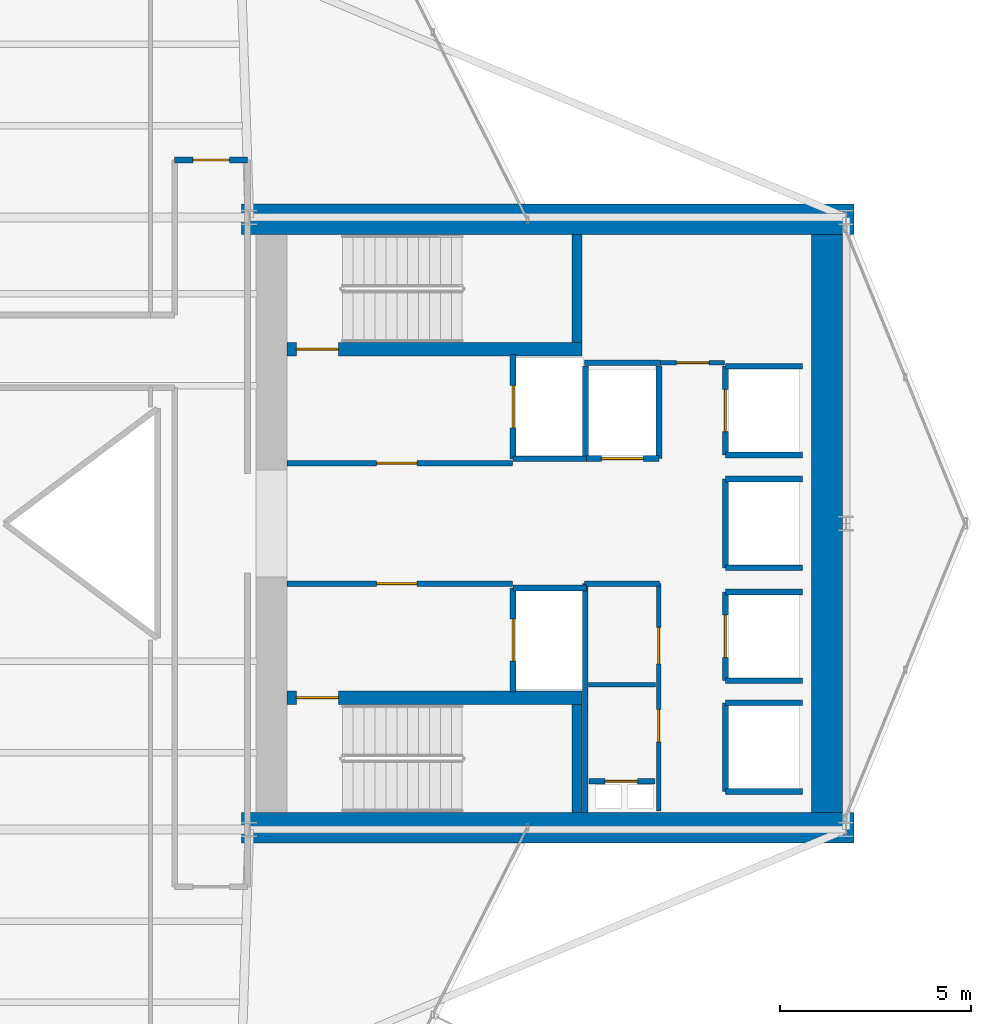
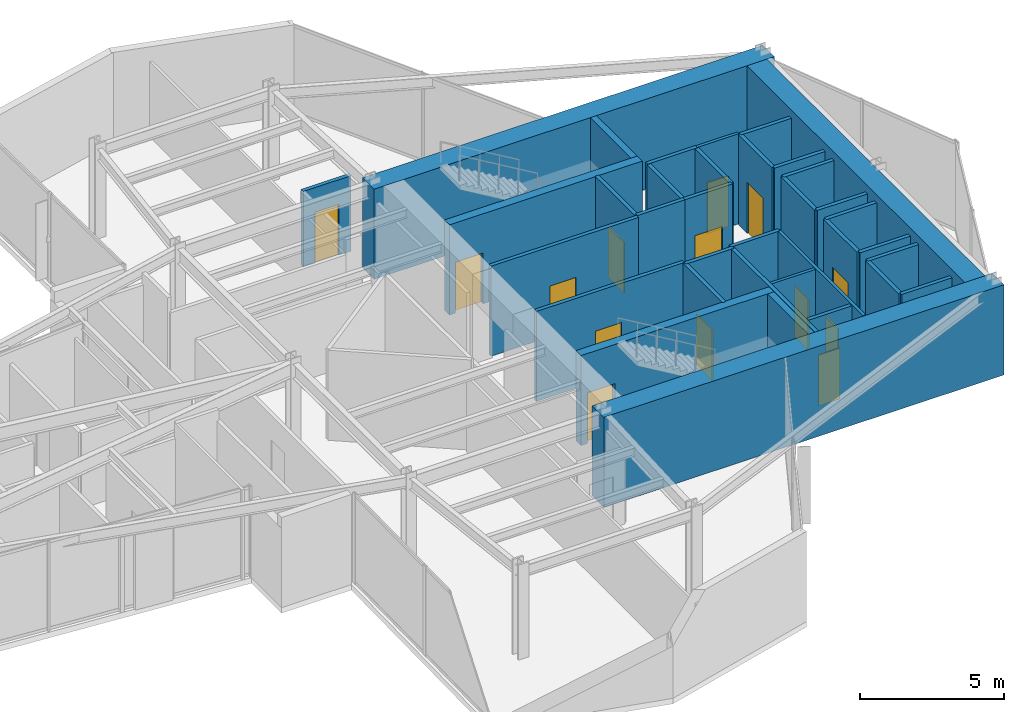
# One storey, part 23 of 25: 36 walls, 14 doors, 14 openings.
"""IFC4 building model written with IfcOpenShell, lengths in metres."""

from ifc_helpers import new_model, si_unit, direction, frame, frame_2d, origin, place, context, subcontext, project, spatial, rectangle, extrude, material, layer, layer_set, type_object, element, fill, save


model = new_model("IFC4")

# Units and contexts
model_context = context("Model", 3, precision=1e-05, world=origin(), true_north=direction((0.0, 1.0)))
body_context = subcontext(model_context, "Body", "Model", "MODEL_VIEW")
ifc_project = project(units=[si_unit("LENGTHUNIT", "METRE"), si_unit("AREAUNIT", "SQUARE_METRE"), si_unit("VOLUMEUNIT", "CUBIC_METRE"), si_unit("PLANEANGLEUNIT", "RADIAN"), si_unit("MASSUNIT", "GRAM", prefix="KILO")], contexts=[model_context])

# Site, building, storey
site_placement = place(None, origin())
site = spatial("IfcSite", under=ifc_project, at=site_placement, CompositionType="ELEMENT")
building_placement = place(site_placement, origin())
building = spatial("IfcBuilding", under=site, at=building_placement, Name="Veymaron Broadcast Tower", CompositionType="ELEMENT")
storey_placement = place(building_placement, frame((0.0, 0.0, 129.0)))
storey = spatial("IfcBuildingStorey", under=building, at=storey_placement, Name="L29", CompositionType="ELEMENT", Elevation=129.0)

# Wall, opening, door
ifc_material_1 = material(Name="Gypsum fireboard and steel stud framing", Category="steel")
ifc_layer_1 = layer(ifc_material_1, 0.14990234375)
ifc_layer_set_1 = layer_set([ifc_layer_1], Name="Gypsum fireboard and steel stud framing")
wall_type_1 = type_object("IfcWallType", Name="WALL-FIRE-150", PredefinedType="PARTITIONING", material=ifc_layer_set_1)
wall_1_placement = place(storey_placement, frame((39.97998046875, 25.574951171875, 0.0), z_axis=(0.0, 0.0, 1.0), x_axis=(1.0, 0.0, 0.0)))
wall_1 = element("IfcWall", 1, at=wall_1_placement, inside=storey, type_object=wall_type_1, Name="L29 partition IW-L29-FFLN-S", PredefinedType="PARTITIONING", context=body_context, shape_type="SweptSolid", body=[
    extrude(rectangle(XDim=5.89990234375, YDim=0.14990234375, at=frame_2d((2.949951171875, 0.0))), origin(), (0.0, 0.0, 1.0), 3.81005859375),
])
opening_1_placement = place(wall_1_placement, frame((2.35009765625, 0.0, 0.0)))
opening_1 = element("IfcOpeningElement", 2, at=opening_1_placement, cuts=wall_1, Name="Opening ID-FL1", PredefinedType="OPENING", context=body_context, shape_type="SweptSolid", body=[
    extrude(rectangle(XDim=1.050048828125, YDim=2.14990234375, at=frame_2d((0.52490234375, 1.074951171875))), frame((0.0, 0.0849609375, 0.0), z_axis=(0.0, -1.0, 0.0), x_axis=(1.0, 0.0, 0.0)), (0.0, 0.0, 1.0), 0.169921875),
])
ifc_material_2 = material(Name="Fire-rated painted hollow steel ASTM A653", Category="steel")
door_type_1 = type_object("IfcDoorType", Name="DOOR-FIRE-1050", OperationType="NOTDEFINED", PredefinedType="DOOR", material=ifc_material_2)
door_1_placement = place(opening_1_placement, origin())
door_1 = element("IfcDoor", 3, at=door_1_placement, inside=storey, type_object=door_type_1, Name="L29 door DR-L29-FFLN", OperationType="SINGLE_SWING_LEFT", OverallHeight=2.14990234375, OverallWidth=1.050048828125, PredefinedType="DOOR", context=body_context, shape_type="SweptSolid", body=[
    extrude(rectangle(XDim=1.050048828125, YDim=2.14990234375, at=frame_2d((0.52490234375, 1.074951171875))), frame((0.0, 0.02490234375, 0.0), z_axis=(0.0, -1.0, 0.0), x_axis=(1.0, 0.0, 0.0)), (0.0, 0.0, 1.0), 0.050048828125),
])
fill(opening_1, door_1)

wall_2_placement = place(storey_placement, frame((39.97998046875, 22.425048828125, 0.0), z_axis=(0.0, 0.0, 1.0), x_axis=(1.0, 0.0, 0.0)))
wall_2 = element("IfcWall", 4, at=wall_2_placement, inside=storey, type_object=wall_type_1, Name="L29 partition IW-L29-FFLS-N", PredefinedType="PARTITIONING", context=body_context, shape_type="SweptSolid", body=[
    extrude(rectangle(XDim=5.89990234375, YDim=0.14990234375, at=frame_2d((2.949951171875, 0.0))), origin(), (0.0, 0.0, 1.0), 3.81005859375),
])
opening_2_placement = place(wall_2_placement, frame((2.35009765625, 0.0, 0.0)))
opening_2 = element("IfcOpeningElement", 5, at=opening_2_placement, cuts=wall_2, Name="Opening ID-FL1", PredefinedType="OPENING", context=body_context, shape_type="SweptSolid", body=[
    extrude(rectangle(XDim=1.050048828125, YDim=2.14990234375, at=frame_2d((0.52490234375, 1.074951171875))), frame((0.0, 0.0849609375, 0.0), z_axis=(0.0, -1.0, 0.0), x_axis=(1.0, 0.0, 0.0)), (0.0, 0.0, 1.0), 0.169921875),
])
door_2_placement = place(opening_2_placement, frame((1.050048828125, 0.0, 0.0), z_axis=(0.0, 0.0, 1.0), x_axis=(-1.0, 0.0, 0.0)))
door_2 = element("IfcDoor", 6, at=door_2_placement, inside=storey, type_object=door_type_1, Name="L29 door DR-L29-FFLS", OperationType="SINGLE_SWING_RIGHT", OverallHeight=2.14990234375, OverallWidth=1.050048828125, PredefinedType="DOOR", context=body_context, shape_type="SweptSolid", body=[
    extrude(rectangle(XDim=1.050048828125, YDim=2.14990234375, at=frame_2d((0.52490234375, 1.074951171875))), frame((0.0, 0.02490234375, 0.0), z_axis=(0.0, -1.0, 0.0), x_axis=(1.0, 0.0, 0.0)), (0.0, 0.0, 1.0), 0.050048828125),
])
fill(opening_2, door_2)

wall_3_placement = place(storey_placement, frame((45.89501953125, 25.68994140625, 0.0), z_axis=(0.0, 0.0, 1.0), x_axis=(0.0, 1.0, 0.0)))
wall_3 = element("IfcWall", 7, at=wall_3_placement, inside=storey, type_object=wall_type_1, Name="L29 partition IW-L29-SHW-FFL-1", PredefinedType="PARTITIONING", context=body_context, shape_type="SweptSolid", body=[
    extrude(rectangle(XDim=2.719970703125, YDim=0.14990234375, at=frame_2d((1.35986328125, 0.0))), origin(), (0.0, 0.0, 1.0), 3.81005859375),
])
opening_3_placement = place(wall_3_placement, frame((0.81005859375, 0.0, 0.0)))
opening_3 = element("IfcOpeningElement", 8, at=opening_3_placement, cuts=wall_3, Name="Opening LD", PredefinedType="OPENING", context=body_context, shape_type="SweptSolid", body=[
    extrude(rectangle(XDim=1.10009765625, YDim=2.14990234375, at=frame_2d((0.550048828125, 1.074951171875))), frame((0.0, 0.0849609375, 0.0), z_axis=(0.0, -1.0, 0.0), x_axis=(1.0, 0.0, 0.0)), (0.0, 0.0, 1.0), 0.169921875),
])
ifc_material_3 = material(Name="Brushed stainless steel AISI 304", Category="steel")
door_type_2 = type_object("IfcDoorType", Name="DOOR-LIFT-1100", OperationType="DOUBLE_DOOR_SLIDING", PredefinedType="DOOR", material=ifc_material_3)
door_3_placement = place(opening_3_placement, frame((1.10009765625, 0.0, 0.0), z_axis=(0.0, 0.0, 1.0), x_axis=(-1.0, 0.0, 0.0)))
door_3 = element("IfcDoor", 9, at=door_3_placement, inside=storey, type_object=door_type_2, Name="L29 door LD-L29-FFL-1", OperationType="DOUBLE_DOOR_SLIDING", OverallHeight=2.14990234375, OverallWidth=1.10009765625, PredefinedType="DOOR", context=body_context, shape_type="SweptSolid", body=[
    extrude(rectangle(XDim=1.10009765625, YDim=2.14990234375, at=frame_2d((0.550048828125, 1.074951171875))), frame((0.0, 0.02490234375, 0.0), z_axis=(0.0, -1.0, 0.0), x_axis=(1.0, 0.0, 0.0)), (0.0, 0.0, 1.0), 0.050048828125),
])
fill(opening_3, door_3)

# Wall
wall_4_placement = place(storey_placement, frame((45.89501953125, 25.68994140625, 0.0), z_axis=(0.0, 0.0, 1.0), x_axis=(1.0, 0.0, 0.0)))
element("IfcWall", 10, at=wall_4_placement, inside=storey, type_object=wall_type_1, Name="L29 partition IW-L29-SHS-FFL-1", PredefinedType="PARTITIONING", context=body_context, shape_type="SweptSolid", body=[
    extrude(rectangle(XDim=1.9150390625, YDim=0.14990234375, at=frame_2d((0.95751953125, 0.0))), origin(), (0.0, 0.0, 1.0), 3.81005859375),
])

# Wall, opening, door
wall_5_placement = place(storey_placement, frame((45.89501953125, 19.590087890625, 0.0), z_axis=(0.0, 0.0, 1.0), x_axis=(0.0, 1.0, 0.0)))
wall_5 = element("IfcWall", 11, at=wall_5_placement, inside=storey, type_object=wall_type_1, Name="L29 partition IW-L29-SHW-FFL-2", PredefinedType="PARTITIONING", context=body_context, shape_type="SweptSolid", body=[
    extrude(rectangle(XDim=2.719970703125, YDim=0.14990234375, at=frame_2d((1.35986328125, 0.0))), origin(), (0.0, 0.0, 1.0), 3.81005859375),
])
opening_4_placement = place(wall_5_placement, frame((0.81005859375, 0.0, 0.0)))
opening_4 = element("IfcOpeningElement", 12, at=opening_4_placement, cuts=wall_5, Name="Opening LD", PredefinedType="OPENING", context=body_context, shape_type="SweptSolid", body=[
    extrude(rectangle(XDim=1.10009765625, YDim=2.14990234375, at=frame_2d((0.550048828125, 1.074951171875))), frame((0.0, 0.0849609375, 0.0), z_axis=(0.0, -1.0, 0.0), x_axis=(1.0, 0.0, 0.0)), (0.0, 0.0, 1.0), 0.169921875),
])
door_4_placement = place(opening_4_placement, frame((1.10009765625, 0.0, 0.0), z_axis=(0.0, 0.0, 1.0), x_axis=(-1.0, 0.0, 0.0)))
door_4 = element("IfcDoor", 13, at=door_4_placement, inside=storey, type_object=door_type_2, Name="L29 door LD-L29-FFL-2", OperationType="DOUBLE_DOOR_SLIDING", OverallHeight=2.14990234375, OverallWidth=1.10009765625, PredefinedType="DOOR", context=body_context, shape_type="SweptSolid", body=[
    extrude(rectangle(XDim=1.10009765625, YDim=2.14990234375, at=frame_2d((0.550048828125, 1.074951171875))), frame((0.0, 0.02490234375, 0.0), z_axis=(0.0, -1.0, 0.0), x_axis=(1.0, 0.0, 0.0)), (0.0, 0.0, 1.0), 0.050048828125),
])
fill(opening_4, door_4)

# Wall
wall_6_placement = place(storey_placement, frame((45.89501953125, 22.31005859375, 0.0), z_axis=(0.0, 0.0, 1.0), x_axis=(1.0, 0.0, 0.0)))
element("IfcWall", 14, at=wall_6_placement, inside=storey, type_object=wall_type_1, Name="L29 partition IW-L29-SHN-FFL-2", PredefinedType="PARTITIONING", context=body_context, shape_type="SweptSolid", body=[
    extrude(rectangle(XDim=1.9150390625, YDim=0.14990234375, at=frame_2d((0.95751953125, 0.0))), origin(), (0.0, 0.0, 1.0), 3.81005859375),
])

# Wall, opening, door
wall_7_placement = place(storey_placement, frame((47.7900390625, 25.695068359375, 0.0), z_axis=(0.0, 0.0, 1.0), x_axis=(1.0, 0.0, 0.0)))
wall_7 = element("IfcWall", 15, at=wall_7_placement, inside=storey, type_object=wall_type_1, Name="L29 partition IW-L29-SHS-SL-1", PredefinedType="PARTITIONING", context=body_context, shape_type="SweptSolid", body=[
    extrude(rectangle(XDim=1.919921875, YDim=0.14990234375, at=frame_2d((0.9599609375, 0.0))), origin(), (0.0, 0.0, 1.0), 3.81005859375),
])
opening_5_placement = place(wall_7_placement, frame((0.409912109375, 0.0, 0.0)))
opening_5 = element("IfcOpeningElement", 16, at=opening_5_placement, cuts=wall_7, Name="Opening LD", PredefinedType="OPENING", context=body_context, shape_type="SweptSolid", body=[
    extrude(rectangle(XDim=1.10009765625, YDim=2.14990234375, at=frame_2d((0.550048828125, 1.074951171875))), frame((0.0, 0.0849609375, 0.0), z_axis=(0.0, -1.0, 0.0), x_axis=(1.0, 0.0, 0.0)), (0.0, 0.0, 1.0), 0.169921875),
])
door_5_placement = place(opening_5_placement, frame((1.10009765625, 0.0, 0.0), z_axis=(0.0, 0.0, 1.0), x_axis=(-1.0, 0.0, 0.0)))
door_5 = element("IfcDoor", 17, at=door_5_placement, inside=storey, type_object=door_type_2, Name="L29 door LD-L29-SL-1", OperationType="DOUBLE_DOOR_SLIDING", OverallHeight=2.14990234375, OverallWidth=1.10009765625, PredefinedType="DOOR", context=body_context, shape_type="SweptSolid", body=[
    extrude(rectangle(XDim=1.10009765625, YDim=2.14990234375, at=frame_2d((0.550048828125, 1.074951171875))), frame((0.0, 0.02490234375, 0.0), z_axis=(0.0, -1.0, 0.0), x_axis=(1.0, 0.0, 0.0)), (0.0, 0.0, 1.0), 0.050048828125),
])
fill(opening_5, door_5)

# Walls
for number, where, z_axis, x_axis, name in (
    (18, (47.7900390625, 25.695068359375, 0.0), (0.0, 0.0, 1.0), (0.0, 1.0, 0.0), "L29 partition IW-L29-SHW-SL-1"),
    (19, (49.7099609375, 25.695068359375, 0.0), (0.0, 0.0, 1.0), (0.0, 1.0, 0.0), "L29 partition IW-L29-SHE-SL-1"),
):
    element("IfcWall", number, at=place(storey_placement, frame(where, z_axis=z_axis, x_axis=x_axis)), inside=storey, type_object=wall_type_1, Name=name, PredefinedType="PARTITIONING", context=body_context, shape_type="SweptSolid", body=[
        extrude(rectangle(XDim=2.4150390625, YDim=0.14990234375, at=frame_2d((1.20751953125, 0.0))), origin(), (0.0, 0.0, 1.0), 3.81005859375),
    ])

# Wall, opening, door
wall_8_placement = place(storey_placement, frame((51.445068359375, 25.7900390625, 0.0), z_axis=(0.0, 0.0, 1.0), x_axis=(0.0, 1.0, 0.0)))
wall_8 = element("IfcWall", 20, at=wall_8_placement, inside=storey, type_object=wall_type_1, Name="L29 partition IW-L29-SHW-PM1", PredefinedType="PARTITIONING", context=body_context, shape_type="SweptSolid", body=[
    extrude(rectangle(XDim=2.320068359375, YDim=0.14990234375, at=frame_2d((1.16015625, 0.0))), origin(), (0.0, 0.0, 1.0), 3.81005859375),
])
opening_6_placement = place(wall_8_placement, frame((0.610107421875, 0.0, 0.0)))
opening_6 = element("IfcOpeningElement", 21, at=opening_6_placement, cuts=wall_8, Name="Opening LD", PredefinedType="OPENING", context=body_context, shape_type="SweptSolid", body=[
    extrude(rectangle(XDim=1.10009765625, YDim=2.14990234375, at=frame_2d((0.550048828125, 1.074951171875))), frame((0.0, 0.0849609375, 0.0), z_axis=(0.0, -1.0, 0.0), x_axis=(1.0, 0.0, 0.0)), (0.0, 0.0, 1.0), 0.169921875),
])
door_6_placement = place(opening_6_placement, frame((1.10009765625, 0.0, 0.0), z_axis=(0.0, 0.0, 1.0), x_axis=(-1.0, 0.0, 0.0)))
door_6 = element("IfcDoor", 22, at=door_6_placement, inside=storey, type_object=door_type_2, Name="L29 door LD-L29-PM1", OperationType="DOUBLE_DOOR_SLIDING", OverallHeight=2.14990234375, OverallWidth=1.10009765625, PredefinedType="DOOR", context=body_context, shape_type="SweptSolid", body=[
    extrude(rectangle(XDim=1.10009765625, YDim=2.14990234375, at=frame_2d((0.550048828125, 1.074951171875))), frame((0.0, 0.02490234375, 0.0), z_axis=(0.0, -1.0, 0.0), x_axis=(1.0, 0.0, 0.0)), (0.0, 0.0, 1.0), 0.050048828125),
])
fill(opening_6, door_6)

# Walls
for number, where, z_axis, x_axis, name in (
    (23, (51.445068359375, 25.7900390625, 0.0), (0.0, 0.0, 1.0), (1.0, 0.0, 0.0), "L29 partition IW-L29-SHS-PM1"),
    (24, (51.445068359375, 28.110107421875, 0.0), (0.0, 0.0, 1.0), (1.0, 0.0, 0.0), "L29 partition IW-L29-SHN-PM1"),
):
    element("IfcWall", number, at=place(storey_placement, frame(where, z_axis=z_axis, x_axis=x_axis)), inside=storey, type_object=wall_type_1, Name=name, PredefinedType="PARTITIONING", context=body_context, shape_type="SweptSolid", body=[
        extrude(rectangle(XDim=2.014892578125, YDim=0.14990234375, at=frame_2d((1.00732421875, 0.0))), origin(), (0.0, 0.0, 1.0), 3.81005859375),
    ])

# Wall, opening, door
wall_9_placement = place(storey_placement, frame((51.445068359375, 19.889892578125, 0.0), z_axis=(0.0, 0.0, 1.0), x_axis=(0.0, 1.0, 0.0)))
wall_9 = element("IfcWall", 25, at=wall_9_placement, inside=storey, type_object=wall_type_1, Name="L29 partition IW-L29-SHW-PM2", PredefinedType="PARTITIONING", context=body_context, shape_type="SweptSolid", body=[
    extrude(rectangle(XDim=2.320068359375, YDim=0.14990234375, at=frame_2d((1.16015625, 0.0))), origin(), (0.0, 0.0, 1.0), 3.81005859375),
])
opening_7_placement = place(wall_9_placement, frame((0.610107421875, 0.0, 0.0)))
opening_7 = element("IfcOpeningElement", 26, at=opening_7_placement, cuts=wall_9, Name="Opening LD", PredefinedType="OPENING", context=body_context, shape_type="SweptSolid", body=[
    extrude(rectangle(XDim=1.10009765625, YDim=2.14990234375, at=frame_2d((0.550048828125, 1.074951171875))), frame((0.0, 0.0849609375, 0.0), z_axis=(0.0, -1.0, 0.0), x_axis=(1.0, 0.0, 0.0)), (0.0, 0.0, 1.0), 0.169921875),
])
door_7_placement = place(opening_7_placement, frame((1.10009765625, 0.0, 0.0), z_axis=(0.0, 0.0, 1.0), x_axis=(-1.0, 0.0, 0.0)))
door_7 = element("IfcDoor", 27, at=door_7_placement, inside=storey, type_object=door_type_2, Name="L29 door LD-L29-PM2", OperationType="DOUBLE_DOOR_SLIDING", OverallHeight=2.14990234375, OverallWidth=1.10009765625, PredefinedType="DOOR", context=body_context, shape_type="SweptSolid", body=[
    extrude(rectangle(XDim=1.10009765625, YDim=2.14990234375, at=frame_2d((0.550048828125, 1.074951171875))), frame((0.0, 0.02490234375, 0.0), z_axis=(0.0, -1.0, 0.0), x_axis=(1.0, 0.0, 0.0)), (0.0, 0.0, 1.0), 0.050048828125),
])
fill(opening_7, door_7)

# Walls
for number, where, z_axis, x_axis, name in (
    (28, (51.445068359375, 19.889892578125, 0.0), (0.0, 0.0, 1.0), (1.0, 0.0, 0.0), "L29 partition IW-L29-SHS-PM2"),
    (29, (51.445068359375, 22.2099609375, 0.0), (0.0, 0.0, 1.0), (1.0, 0.0, 0.0), "L29 partition IW-L29-SHN-PM2"),
):
    element("IfcWall", number, at=place(storey_placement, frame(where, z_axis=z_axis, x_axis=x_axis)), inside=storey, type_object=wall_type_1, Name=name, PredefinedType="PARTITIONING", context=body_context, shape_type="SweptSolid", body=[
        extrude(rectangle(XDim=2.014892578125, YDim=0.14990234375, at=frame_2d((1.00732421875, 0.0))), origin(), (0.0, 0.0, 1.0), 3.81005859375),
    ])
wall_10_placement = place(storey_placement, frame((51.445068359375, 22.840087890625, 0.0), z_axis=(0.0, 0.0, 1.0), x_axis=(0.0, 1.0, 0.0)))
element("IfcWall", 30, at=wall_10_placement, inside=storey, type_object=wall_type_1, Name="L29 partition IW-L29-SHW-PM3", PredefinedType="PARTITIONING", context=body_context, shape_type="SweptSolid", body=[
    extrude(rectangle(XDim=2.31982421875, YDim=0.14990234375, at=frame_2d((1.159912109375, 0.0))), origin(), (0.0, 0.0, 1.0), 3.81005859375),
])
for number, where, z_axis, x_axis, name in (
    (31, (51.445068359375, 22.840087890625, 0.0), (0.0, 0.0, 1.0), (1.0, 0.0, 0.0), "L29 partition IW-L29-SHS-PM3"),
    (32, (51.445068359375, 25.159912109375, 0.0), (0.0, 0.0, 1.0), (1.0, 0.0, 0.0), "L29 partition IW-L29-SHN-PM3"),
):
    element("IfcWall", number, at=place(storey_placement, frame(where, z_axis=z_axis, x_axis=x_axis)), inside=storey, type_object=wall_type_1, Name=name, PredefinedType="PARTITIONING", context=body_context, shape_type="SweptSolid", body=[
        extrude(rectangle(XDim=2.014892578125, YDim=0.14990234375, at=frame_2d((1.00732421875, 0.0))), origin(), (0.0, 0.0, 1.0), 3.81005859375),
    ])
wall_11_placement = place(storey_placement, frame((51.445068359375, 16.989990234375, 0.0), z_axis=(0.0, 0.0, 1.0), x_axis=(0.0, 1.0, 0.0)))
element("IfcWall", 33, at=wall_11_placement, inside=storey, type_object=wall_type_1, Name="L29 partition IW-L29-SHW-PH1", PredefinedType="PARTITIONING", context=body_context, shape_type="SweptSolid", body=[
    extrude(rectangle(XDim=2.320068359375, YDim=0.14990234375, at=frame_2d((1.16015625, 0.0))), origin(), (0.0, 0.0, 1.0), 3.81005859375),
])
for number, where, z_axis, x_axis, name in (
    (34, (51.445068359375, 16.989990234375, 0.0), (0.0, 0.0, 1.0), (1.0, 0.0, 0.0), "L29 partition IW-L29-SHS-PH1"),
    (35, (51.445068359375, 19.31005859375, 0.0), (0.0, 0.0, 1.0), (1.0, 0.0, 0.0), "L29 partition IW-L29-SHN-PH1"),
):
    element("IfcWall", number, at=place(storey_placement, frame(where, z_axis=z_axis, x_axis=x_axis)), inside=storey, type_object=wall_type_1, Name=name, PredefinedType="PARTITIONING", context=body_context, shape_type="SweptSolid", body=[
        extrude(rectangle(XDim=2.014892578125, YDim=0.14990234375, at=frame_2d((1.00732421875, 0.0))), origin(), (0.0, 0.0, 1.0), 3.81005859375),
    ])

# Wall, opening, door
wall_12_placement = place(storey_placement, frame((47.8798828125, 17.260009765625, 0.0), z_axis=(0.0, 0.0, 1.0), x_axis=(1.0, 0.0, 0.0)))
wall_12 = element("IfcWall", 36, at=wall_12_placement, inside=storey, type_object=wall_type_1, Name="L29 partition IW-L29-RIS-N", PredefinedType="PARTITIONING", context=body_context, shape_type="SweptSolid", body=[
    extrude(rectangle(XDim=1.72021484375, YDim=0.14990234375, at=frame_2d((0.860107421875, 0.0))), origin(), (0.0, 0.0, 1.0), 3.81005859375),
])
opening_8_placement = place(wall_12_placement, frame((0.419921875, 0.0, 0.0)))
opening_8 = element("IfcOpeningElement", 37, at=opening_8_placement, cuts=wall_12, Name="Opening ID-RS1", PredefinedType="OPENING", context=body_context, shape_type="SweptSolid", body=[
    extrude(rectangle(XDim=0.85009765625, YDim=2.14990234375, at=frame_2d((0.425048828125, 1.074951171875))), frame((0.0, 0.0849609375, 0.0), z_axis=(0.0, -1.0, 0.0), x_axis=(1.0, 0.0, 0.0)), (0.0, 0.0, 1.0), 0.169921875),
])
ifc_material_4 = material(Name="Fire-rated powder-coated steel riser leaf", Category="steel")
door_type_3 = type_object("IfcDoorType", Name="DOOR-RIS-850", OperationType="NOTDEFINED", PredefinedType="TRAPDOOR", material=ifc_material_4)
door_8_placement = place(opening_8_placement, origin())
door_8 = element("IfcDoor", 38, at=door_8_placement, inside=storey, type_object=door_type_3, Name="L29 door DR-L29-RIS", OperationType="SINGLE_SWING_LEFT", OverallHeight=2.14990234375, OverallWidth=0.85009765625, PredefinedType="TRAPDOOR", context=body_context, shape_type="SweptSolid", body=[
    extrude(rectangle(XDim=0.85009765625, YDim=2.14990234375, at=frame_2d((0.425048828125, 1.074951171875))), frame((0.0, 0.02490234375, 0.0), z_axis=(0.0, -1.0, 0.0), x_axis=(1.0, 0.0, 0.0)), (0.0, 0.0, 1.0), 0.050048828125),
])
fill(opening_8, door_8)

# Walls
wall_13_placement = place(storey_placement, frame((47.760009765625, 22.425048828125, 0.0), z_axis=(0.0, 0.0, 1.0), x_axis=(1.0, 0.0, 0.0)))
element("IfcWall", 39, at=wall_13_placement, inside=storey, type_object=wall_type_1, Name="L29 partition IW-L29-SM-N", PredefinedType="PARTITIONING", context=body_context, shape_type="SweptSolid", body=[
    extrude(rectangle(XDim=1.9599609375, YDim=0.14990234375, at=frame_2d((0.97998046875, 0.0))), origin(), (0.0, 0.0, 1.0), 3.81005859375),
])
wall_14_placement = place(storey_placement, frame((47.780029296875, 16.449951171875, 0.0), z_axis=(0.0, 0.0, 1.0), x_axis=(0.0, 1.0, 0.0)))
element("IfcWall", 40, at=wall_14_placement, inside=storey, type_object=wall_type_1, Name="L29 partition IW-L29-SM-W", PredefinedType="PARTITIONING", context=body_context, shape_type="SweptSolid", body=[
    extrude(rectangle(XDim=5.97509765625, YDim=0.14990234375, at=frame_2d((2.987548828125, 0.0))), origin(), (0.0, 0.0, 1.0), 3.81005859375),
])
wall_15_placement = place(storey_placement, frame((47.760009765625, 28.199951171875, 0.0), z_axis=(0.0, 0.0, 1.0), x_axis=(1.0, 0.0, 0.0)))
element("IfcWall", 41, at=wall_15_placement, inside=storey, type_object=wall_type_1, Name="L29 partition IW-L29-F1-SW", PredefinedType="PARTITIONING", context=body_context, shape_type="SweptSolid", body=[
    extrude(rectangle(XDim=1.989990234375, YDim=0.14990234375, at=frame_2d((0.9951171875, 0.0))), origin(), (0.0, 0.0, 1.0), 3.81005859375),
])

# Wall, opening, door
wall_16_placement = place(storey_placement, frame((37.050048828125, 33.5, 0.0), z_axis=(0.0, 0.0, 1.0), x_axis=(1.0, 0.0, 0.0)))
wall_16 = element("IfcWall", 42, at=wall_16_placement, inside=storey, type_object=wall_type_1, Name="L29 partition IW-L29-P30", PredefinedType="PARTITIONING", context=body_context, shape_type="SweptSolid", body=[
    extrude(rectangle(XDim=1.89990234375, YDim=0.14990234375, at=frame_2d((0.949951171875, 0.0))), origin(), (0.0, 0.0, 1.0), 3.18994140625),
])
opening_9_placement = place(wall_16_placement, frame((0.47509765625, 0.0, 0.0)))
opening_9 = element("IfcOpeningElement", 43, at=opening_9_placement, cuts=wall_16, Name="Opening ID-RM1", PredefinedType="OPENING", context=body_context, shape_type="SweptSolid", body=[
    extrude(rectangle(XDim=0.949951171875, YDim=2.14990234375, at=frame_2d((0.47509765625, 1.074951171875))), frame((0.0, 0.0849609375, 0.0), z_axis=(0.0, -1.0, 0.0), x_axis=(1.0, 0.0, 0.0)), (0.0, 0.0, 1.0), 0.169921875),
])
ifc_material_5 = material(Name="Acoustic solid-core European oak veneer timber", Category="wood")
door_type_4 = type_object("IfcDoorType", Name="DOOR-INT-950", OperationType="NOTDEFINED", PredefinedType="DOOR", material=ifc_material_5)
door_9_placement = place(opening_9_placement, origin())
door_9 = element("IfcDoor", 44, at=door_9_placement, inside=storey, type_object=door_type_4, Name="L29 door DR-L29-P30", OperationType="SINGLE_SWING_LEFT", OverallHeight=2.14990234375, OverallWidth=0.949951171875, PredefinedType="DOOR", context=body_context, shape_type="SweptSolid", body=[
    extrude(rectangle(XDim=0.949951171875, YDim=2.14990234375, at=frame_2d((0.47509765625, 1.074951171875))), frame((0.0, 0.02490234375, 0.0), z_axis=(0.0, -1.0, 0.0), x_axis=(1.0, 0.0, 0.0)), (0.0, 0.0, 1.0), 0.050048828125),
])
fill(opening_9, door_9)

# Wall
ifc_material_6 = material(Name="Acoustic gypsum board and galvanized stud", Category="gypsum")
ifc_layer_2 = layer(ifc_material_6, 0.1201171875)
ifc_layer_set_2 = layer_set([ifc_layer_2], Name="Acoustic gypsum board and galvanized stud")
wall_type_2 = type_object("IfcWallType", Name="WALL-PART-120", PredefinedType="PARTITIONING", material=ifc_layer_set_2)
wall_17_placement = place(storey_placement, frame((47.860107421875, 19.780029296875, 0.0), z_axis=(0.0, 0.0, 1.0), x_axis=(1.0, 0.0, 0.0)))
element("IfcWall", 45, at=wall_17_placement, inside=storey, type_object=wall_type_2, Name="L29 partition IW-L29-SM-DIV", PredefinedType="PARTITIONING", context=body_context, shape_type="SweptSolid", body=[
    extrude(rectangle(XDim=1.760009765625, YDim=0.1201171875, at=frame_2d((0.8798828125, 0.0))), origin(), (0.0, 0.0, 1.0), 3.81005859375),
])

# Wall, openings, doors
wall_18_placement = place(storey_placement, frame((49.699951171875, 16.47998046875, 0.0), z_axis=(0.0, 0.0, 1.0), x_axis=(0.0, 1.0, 0.0)))
wall_18 = element("IfcWall", 46, at=wall_18_placement, inside=storey, type_object=wall_type_2, Name="L29 partition IW-L29-SM-E", PredefinedType="PARTITIONING", context=body_context, shape_type="SweptSolid", body=[
    extrude(rectangle(XDim=5.945068359375, YDim=0.1201171875, at=frame_2d((2.97265625, 0.0))), origin(), (0.0, 0.0, 1.0), 3.81005859375),
])
opening_10_placement = place(wall_18_placement, frame((1.800048828125, 0.0, 0.0)))
opening_10 = element("IfcOpeningElement", 47, at=opening_10_placement, cuts=wall_18, Name="Opening ID-WC1", PredefinedType="OPENING", context=body_context, shape_type="SweptSolid", body=[
    extrude(rectangle(XDim=0.85009765625, YDim=2.14990234375, at=frame_2d((0.425048828125, 1.074951171875))), frame((0.0, 0.070068359375, 0.0), z_axis=(0.0, -1.0, 0.0), x_axis=(1.0, 0.0, 0.0)), (0.0, 0.0, 1.0), 0.14013671875),
])
opening_11_placement = place(wall_18_placement, frame((3.85009765625, 0.0, 0.0)))
opening_11 = element("IfcOpeningElement", 48, at=opening_11_placement, cuts=wall_18, Name="Opening ID-RM1", PredefinedType="OPENING", context=body_context, shape_type="SweptSolid", body=[
    extrude(rectangle(XDim=0.949951171875, YDim=2.14990234375, at=frame_2d((0.47509765625, 1.074951171875))), frame((0.0, 0.070068359375, 0.0), z_axis=(0.0, -1.0, 0.0), x_axis=(1.0, 0.0, 0.0)), (0.0, 0.0, 1.0), 0.14013671875),
])
ifc_material_7 = material(Name="Moisture-resistant high-pressure laminate timber", Category="wood")
door_type_5 = type_object("IfcDoorType", Name="DOOR-INT-850", OperationType="NOTDEFINED", PredefinedType="DOOR", material=ifc_material_7)
door_10_placement = place(opening_10_placement, frame((0.85009765625, 0.0, 0.0), z_axis=(0.0, 0.0, 1.0), x_axis=(-1.0, 0.0, 0.0)))
door_10 = element("IfcDoor", 49, at=door_10_placement, inside=storey, type_object=door_type_5, Name="L29 door DR-L29-SWC", OperationType="SINGLE_SWING_LEFT", OverallHeight=2.14990234375, OverallWidth=0.85009765625, PredefinedType="DOOR", context=body_context, shape_type="SweptSolid", body=[
    extrude(rectangle(XDim=0.85009765625, YDim=2.14990234375, at=frame_2d((0.425048828125, 1.074951171875))), frame((0.0, 0.02490234375, 0.0), z_axis=(0.0, -1.0, 0.0), x_axis=(1.0, 0.0, 0.0)), (0.0, 0.0, 1.0), 0.050048828125),
])
fill(opening_10, door_10)
door_11_placement = place(opening_11_placement, frame((0.949951171875, 0.0, 0.0), z_axis=(0.0, 0.0, 1.0), x_axis=(-1.0, 0.0, 0.0)))
door_11 = element("IfcDoor", 50, at=door_11_placement, inside=storey, type_object=door_type_4, Name="L29 door DR-L29-AWC", OperationType="SINGLE_SWING_RIGHT", OverallHeight=2.14990234375, OverallWidth=0.949951171875, PredefinedType="DOOR", context=body_context, shape_type="SweptSolid", body=[
    extrude(rectangle(XDim=0.949951171875, YDim=2.14990234375, at=frame_2d((0.47509765625, 1.074951171875))), frame((0.0, 0.02490234375, 0.0), z_axis=(0.0, -1.0, 0.0), x_axis=(1.0, 0.0, 0.0)), (0.0, 0.0, 1.0), 0.050048828125),
])
fill(opening_11, door_11)

# Wall, opening, door
wall_19_placement = place(storey_placement, frame((49.75, 28.199951171875, 0.0), z_axis=(0.0, 0.0, 1.0), x_axis=(1.0, 0.0, 0.0)))
wall_19 = element("IfcWall", 51, at=wall_19_placement, inside=storey, type_object=wall_type_2, Name="L29 partition IW-L29-F1-S", PredefinedType="PARTITIONING", context=body_context, shape_type="SweptSolid", body=[
    extrude(rectangle(XDim=1.669921875, YDim=0.1201171875, at=frame_2d((0.8349609375, 0.0))), origin(), (0.0, 0.0, 1.0), 3.81005859375),
])
opening_12_placement = place(wall_19_placement, frame((0.419921875, 0.0, 0.0)))
opening_12 = element("IfcOpeningElement", 52, at=opening_12_placement, cuts=wall_19, Name="Opening ID-WC1", PredefinedType="OPENING", context=body_context, shape_type="SweptSolid", body=[
    extrude(rectangle(XDim=0.85009765625, YDim=2.14990234375, at=frame_2d((0.425048828125, 1.074951171875))), frame((0.0, 0.070068359375, 0.0), z_axis=(0.0, -1.0, 0.0), x_axis=(1.0, 0.0, 0.0)), (0.0, 0.0, 1.0), 0.14013671875),
])
door_12_placement = place(opening_12_placement, origin())
door_12 = element("IfcDoor", 53, at=door_12_placement, inside=storey, type_object=door_type_5, Name="L29 door DR-L29-F1A", OperationType="SINGLE_SWING_LEFT", OverallHeight=2.14990234375, OverallWidth=0.85009765625, PredefinedType="DOOR", context=body_context, shape_type="SweptSolid", body=[
    extrude(rectangle(XDim=0.85009765625, YDim=2.14990234375, at=frame_2d((0.425048828125, 1.074951171875))), frame((0.0, 0.02490234375, 0.0), z_axis=(0.0, -1.0, 0.0), x_axis=(1.0, 0.0, 0.0)), (0.0, 0.0, 1.0), 0.050048828125),
])
fill(opening_12, door_12)

# Walls
ifc_material_8 = material(Name="Concrete C50/60", Category="concrete")
ifc_layer_3 = layer(ifc_material_8, 0.25)
ifc_layer_set_3 = layer_set([ifc_layer_3], Name="Concrete C50/60")
wall_type_3 = type_object("IfcWallType", Name="WALL-SHEAR-250", PredefinedType="SHEAR", material=ifc_layer_set_3)
for number, where, z_axis, x_axis, name in (
    (54, (47.56494140625, 28.72998046875, 0.0), (0.0, 0.0, 1.0), (0.0, 1.0, 0.0), "L29 Core Wall north stair east shear"),
    (55, (47.56494140625, 16.449951171875, 0.0), (0.0, 0.0, 1.0), (0.0, 1.0, 0.0), "L29 Core Wall south stair east shear"),
):
    element("IfcWall", number, at=place(storey_placement, frame(where, z_axis=z_axis, x_axis=x_axis)), inside=storey, type_object=wall_type_3, Name=name, PredefinedType="SHEAR", context=body_context, shape_type="SweptSolid", body=[
        extrude(rectangle(XDim=2.820068359375, YDim=0.25, at=frame_2d((1.41015625, 0.0))), origin(), (0.0, 0.0, 1.0), 3.81005859375),
    ])

# Wall, opening, door
ifc_layer_4 = layer(ifc_material_8, 0.35009765625)
ifc_layer_set_4 = layer_set([ifc_layer_4], Name="Concrete C50/60")
wall_type_4 = type_object("IfcWallType", Name="WALL-SHEAR-350", PredefinedType="SHEAR", material=ifc_layer_set_4)
wall_20_placement = place(storey_placement, frame((39.97998046875, 28.554931640625, 0.0), z_axis=(0.0, 0.0, 1.0), x_axis=(1.0, 0.0, 0.0)))
wall_20 = element("IfcWall", 56, at=wall_20_placement, inside=storey, type_object=wall_type_4, Name="L29 Core Wall north stair spine", PredefinedType="SHEAR", context=body_context, shape_type="SweptSolid", body=[
    extrude(rectangle(XDim=7.7099609375, YDim=0.35009765625, at=frame_2d((3.85498046875, 0.0))), origin(), (0.0, 0.0, 1.0), 3.81005859375),
])
opening_13_placement = place(wall_20_placement, frame((0.25, 0.0, 0.0)))
opening_13 = element("IfcOpeningElement", 57, at=opening_13_placement, cuts=wall_20, Name="Opening ID-ST1", PredefinedType="OPENING", context=body_context, shape_type="SweptSolid", body=[
    extrude(rectangle(XDim=1.10009765625, YDim=2.14990234375, at=frame_2d((0.550048828125, 1.074951171875))), frame((0.0, 0.18505859375, 0.0), z_axis=(0.0, -1.0, 0.0), x_axis=(1.0, 0.0, 0.0)), (0.0, 0.0, 1.0), 0.3701171875),
])
door_type_6 = type_object("IfcDoorType", Name="DOOR-STAIR-1100", OperationType="NOTDEFINED", PredefinedType="DOOR", material=ifc_material_2)
door_13_placement = place(opening_13_placement, origin())
door_13 = element("IfcDoor", 58, at=door_13_placement, inside=storey, type_object=door_type_6, Name="L29 exit stair ST1 fire door", OperationType="SINGLE_SWING_RIGHT", OverallHeight=2.14990234375, OverallWidth=1.10009765625, PredefinedType="DOOR", context=body_context, shape_type="SweptSolid", body=[
    extrude(rectangle(XDim=1.10009765625, YDim=2.14990234375, at=frame_2d((0.550048828125, 1.074951171875))), frame((0.0, 0.02490234375, 0.0), z_axis=(0.0, -1.0, 0.0), x_axis=(1.0, 0.0, 0.0)), (0.0, 0.0, 1.0), 0.050048828125),
])
fill(opening_13, door_13)

wall_21_placement = place(storey_placement, frame((39.97998046875, 19.445068359375, 0.0), z_axis=(0.0, 0.0, 1.0), x_axis=(1.0, 0.0, 0.0)))
wall_21 = element("IfcWall", 59, at=wall_21_placement, inside=storey, type_object=wall_type_4, Name="L29 Core Wall south stair spine", PredefinedType="SHEAR", context=body_context, shape_type="SweptSolid", body=[
    extrude(rectangle(XDim=7.7099609375, YDim=0.35009765625, at=frame_2d((3.85498046875, 0.0))), origin(), (0.0, 0.0, 1.0), 3.81005859375),
])
opening_14_placement = place(wall_21_placement, frame((0.25, 0.0, 0.0)))
opening_14 = element("IfcOpeningElement", 60, at=opening_14_placement, cuts=wall_21, Name="Opening ID-ST1", PredefinedType="OPENING", context=body_context, shape_type="SweptSolid", body=[
    extrude(rectangle(XDim=1.10009765625, YDim=2.14990234375, at=frame_2d((0.550048828125, 1.074951171875))), frame((0.0, 0.18505859375, 0.0), z_axis=(0.0, -1.0, 0.0), x_axis=(1.0, 0.0, 0.0)), (0.0, 0.0, 1.0), 0.3701171875),
])
door_14_placement = place(opening_14_placement, frame((1.10009765625, 0.0, 0.0), z_axis=(0.0, 0.0, 1.0), x_axis=(-1.0, 0.0, 0.0)))
door_14 = element("IfcDoor", 61, at=door_14_placement, inside=storey, type_object=door_type_6, Name="L29 exit stair ST2 fire door", OperationType="SINGLE_SWING_LEFT", OverallHeight=2.14990234375, OverallWidth=1.10009765625, PredefinedType="DOOR", context=body_context, shape_type="SweptSolid", body=[
    extrude(rectangle(XDim=1.10009765625, YDim=2.14990234375, at=frame_2d((0.550048828125, 1.074951171875))), frame((0.0, 0.02490234375, 0.0), z_axis=(0.0, -1.0, 0.0), x_axis=(1.0, 0.0, 0.0)), (0.0, 0.0, 1.0), 0.050048828125),
])
fill(opening_14, door_14)

# Walls
ifc_material_9 = material(Name="Concrete C60/75", Category="concrete")
ifc_layer_5 = layer(ifc_material_9, 0.800048828125)
ifc_layer_set_5 = layer_set([ifc_layer_5], Name="Concrete C60/75")
wall_type_5 = type_object("IfcWallType", Name="WALL-SHEAR-800", PredefinedType="SHEAR", material=ifc_layer_set_5)
for number, where, z_axis, x_axis, name in (
    (62, (38.800048828125, 31.949951171875, 0.0), (0.0, 0.0, 1.0), (1.0, 0.0, 0.0), "L29 Core Wall north shear"),
    (63, (38.800048828125, 16.050048828125, 0.0), (0.0, 0.0, 1.0), (1.0, 0.0, 0.0), "L29 Core Wall south shear"),
):
    element("IfcWall", number, at=place(storey_placement, frame(where, z_axis=z_axis, x_axis=x_axis)), inside=storey, type_object=wall_type_5, Name=name, PredefinedType="SHEAR", context=body_context, shape_type="SweptSolid", body=[
        extrude(rectangle(XDim=16.0, YDim=0.800048828125, at=frame_2d((8.0, 0.0))), origin(), (0.0, 0.0, 1.0), 3.81005859375),
    ])
wall_22_placement = place(storey_placement, frame((54.10009765625, 16.449951171875, 0.0), z_axis=(0.0, 0.0, 1.0), x_axis=(0.0, 1.0, 0.0)))
element("IfcWall", 64, at=wall_22_placement, inside=storey, type_object=wall_type_5, Name="L29 Core Wall east shear", PredefinedType="SHEAR", context=body_context, shape_type="SweptSolid", body=[
    extrude(rectangle(XDim=15.10009765625, YDim=0.800048828125, at=frame_2d((7.550048828125, 0.0))), origin(), (0.0, 0.0, 1.0), 3.81005859375),
])

save(model, "model.ifc")
